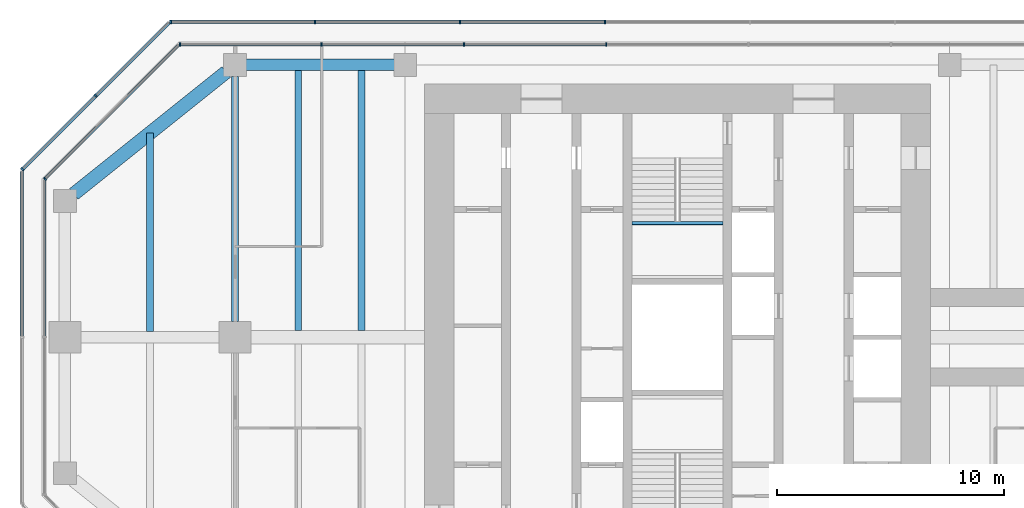
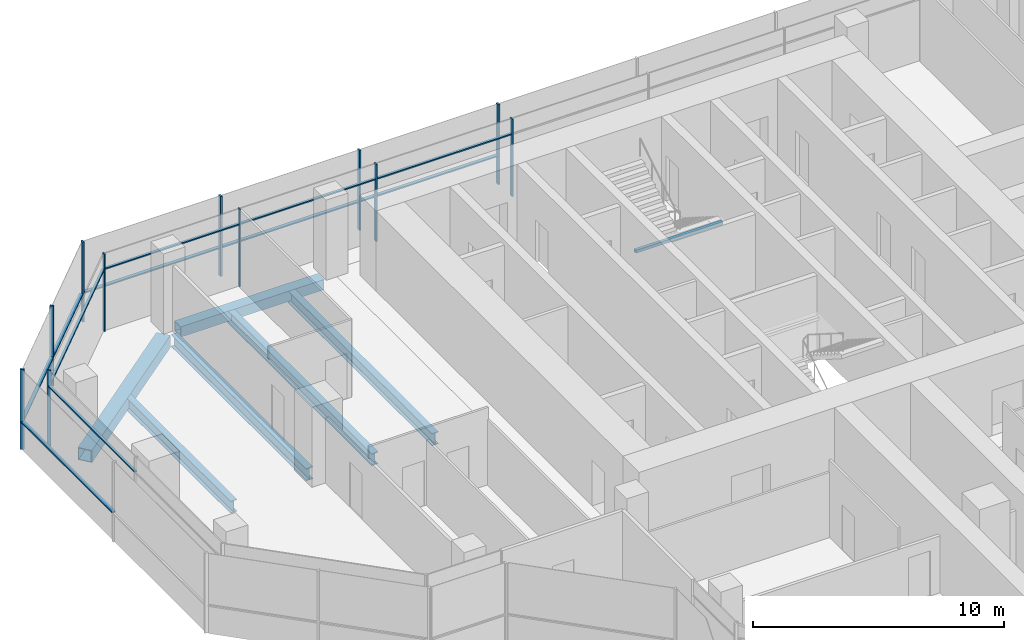
# One storey, part 6 of 16: 22 members, 7 beams, 6 elements without a shape of their own.
"""IFC4 building model written with IfcOpenShell, lengths in metres."""

from ifc_helpers import new_model, si_unit, direction, frame, origin, origin_2d, place, context, subcontext, project, spatial, rectangle, hollow_rectangle, i_section, extrude, material, material_profile, profile_set, type_object, element, aggregate, save


model = new_model("IFC4")

# Units and contexts
model_context = context("Model", 3, precision=1e-05, world=origin(), true_north=direction((0.0, 1.0)))
body_context = subcontext(model_context, "Body", "Model", "MODEL_VIEW")
ifc_project = project(units=[si_unit("LENGTHUNIT", "METRE"), si_unit("AREAUNIT", "SQUARE_METRE"), si_unit("VOLUMEUNIT", "CUBIC_METRE"), si_unit("PLANEANGLEUNIT", "RADIAN"), si_unit("MASSUNIT", "GRAM", prefix="KILO")], contexts=[model_context])

# Site, building, storey
site_placement = place(None, origin())
site = spatial("IfcSite", under=ifc_project, at=site_placement, CompositionType="ELEMENT")
building_placement = place(site_placement, origin())
building = spatial("IfcBuilding", under=site, at=building_placement, Name="Mizan Broadcast Tower", CompositionType="ELEMENT")
storey_placement = place(building_placement, frame((0.0, 0.0, 290.699951171875)))
storey = spatial("IfcBuildingStorey", under=building, at=storey_placement, Name="L69", CompositionType="ELEMENT", Elevation=290.699951171875)

# Beams
ifc_material_1 = material(Name="Steel S355", Category="steel")
ifc_material_profile_1 = material_profile(ifc_material_1, hollow_rectangle(XDim=0.5, YDim=0.5, WallThickness=0.030029296875, at=origin_2d()), Name="BOX 500x500x30")
ifc_profile_set_1 = profile_set([ifc_material_profile_1], Name="Steel S355")
beam_type_1 = type_object("IfcBeamType", Name="EDGE BEAM BOX 500x500x30", PredefinedType="SPANDREL", material=ifc_profile_set_1)
beam_1_placement = place(storey_placement, frame((-12.449951171875, 12.0, -0.3798828125), z_axis=(-1.0, 0.0, 0.0), x_axis=(0.0, -1.0, 0.0)))
element("IfcBeam", 1, at=beam_1_placement, inside=storey, type_object=beam_type_1, Name="Edge beam BOX 500x500x30 L69 west arm", PredefinedType="SPANDREL", context=body_context, shape_type="SweptSolid", body=[
    extrude(hollow_rectangle(XDim=0.5, YDim=0.5, WallThickness=0.030029296875, at=origin_2d()), origin(), (0.0, 0.0, 1.0), 6.60009765625),
])
ifc_material_2 = material(Name="Steel S355", Category="steel")
ifc_material_profile_2 = material_profile(ifc_material_2, hollow_rectangle(XDim=0.60009765625, YDim=0.60009765625, WallThickness=0.030029296875, at=origin_2d()), Name="BOX 600x600x30")
ifc_profile_set_2 = profile_set([ifc_material_profile_2], Name="Steel S355")
beam_type_2 = type_object("IfcBeamType", Name="EDGE BEAM BOX 600x600x30", PredefinedType="SPANDREL", material=ifc_profile_set_2)
beam_2_placement = place(storey_placement, frame((-19.890380859375, 11.687744140625, -0.429931640625), z_axis=(-0.780863273348, -0.62470196761, 0.0), x_axis=(0.62470196761, -0.780863273348, 0.0)))
element("IfcBeam", 2, at=beam_2_placement, inside=storey, type_object=beam_type_2, Name="Edge beam BOX 600x600x30 L69 west arm", PredefinedType="SPANDREL", context=body_context, shape_type="SweptSolid", body=[
    extrude(hollow_rectangle(XDim=0.60009765625, YDim=0.60009765625, WallThickness=0.030029296875, at=origin_2d()), origin(), (0.0, 0.0, 1.0), 8.60498046875),
])
ifc_material_3 = material(Name="Steel S355", Category="steel")
ifc_material_profile_3 = material_profile(ifc_material_3, i_section(OverallWidth=0.300048828125, OverallDepth=0.590087890625, WebThickness=0.012939453125, FlangeThickness=0.02490234375, FilletRadius=0.027099609375, at=origin_2d()), Name="HEA 600")
ifc_profile_set_3 = profile_set([ifc_material_profile_3], Name="Steel S355")
beam_type_3 = type_object("IfcBeamType", Name="GIRDER HEA 600", PredefinedType="BEAM", material=ifc_profile_set_3)
beam_3_placement = place(storey_placement, frame((-19.5, 11.5, -0.425048828125), z_axis=(0.0, -1.0, 0.0), x_axis=(1.0, 0.0, 0.0)))
element("IfcBeam", 3, at=beam_3_placement, inside=storey, type_object=beam_type_3, Name="Girder HEA 600 L69 west arm", PredefinedType="BEAM", context=body_context, shape_type="SweptSolid", body=[
    extrude(i_section(OverallWidth=0.300048828125, OverallDepth=0.590087890625, WebThickness=0.012939453125, FlangeThickness=0.02490234375, FilletRadius=0.027099609375, at=origin_2d()), origin(), (0.0, 0.0, 1.0), 10.800048828125),
])

# Curtain wall, members
ifc_material_4 = material(Name="Aluminium framed glazing", Category="aluminium")
curtain_wall_type_1 = type_object("IfcCurtainWallType", Name="INNER SKIN TOP ZONE", PredefinedType="USERDEFINED", material=ifc_material_4)
curtain_wall_1_placement = place(storey_placement, origin())
curtain_wall_1 = element("IfcCurtainWall", 4, at=curtain_wall_1_placement, inside=storey, type_object=curtain_wall_type_1, Name="Inner skin top zone L69 N end", ObjectType="INNER SKIN TOP ZONE", PredefinedType="USERDEFINED")
ifc_material_5 = material(Name="Aluminium, pale anodised", Category="aluminium")
ifc_material_profile_4 = material_profile(ifc_material_5, rectangle(XDim=0.159912109375, YDim=0.06005859375, at=origin_2d()), Name="MULLION 160x60")
ifc_profile_set_4 = profile_set([ifc_material_profile_4], Name="Aluminium, pale anodised")
member_type_1 = type_object("IfcMemberType", Name="INNER SKIN MULLION 60x160", PredefinedType="MULLION", material=ifc_profile_set_4)
member_1_placement = place(storey_placement, frame((-3.136962890625, 12.89990234375, 0.0), z_axis=(0.0, 0.0, 1.0), x_axis=(0.0, -1.0, 0.0)))
member_1 = element("IfcMember", 5, at=member_1_placement, type_object=member_type_1, Name="Inner skin top zone L69 N end mullion 5", PredefinedType="MULLION", context=body_context, shape_type="SweptSolid", body=[
    extrude(rectangle(XDim=0.159912109375, YDim=0.06005859375, at=origin_2d()), origin(), (0.0, 0.0, 1.0), 3.77001953125),
])
member_2_placement = place(storey_placement, frame((-9.410888671875, 12.89990234375, 0.0), z_axis=(0.0, 0.0, 1.0), x_axis=(0.0, -1.0, 0.0)))
member_2 = element("IfcMember", 6, at=member_2_placement, type_object=member_type_1, Name="Inner skin top zone L69 N end mullion 6", PredefinedType="MULLION", context=body_context, shape_type="SweptSolid", body=[
    extrude(rectangle(XDim=0.159912109375, YDim=0.06005859375, at=origin_2d()), origin(), (0.0, 0.0, 1.0), 3.77001953125),
])
member_3_placement = place(storey_placement, frame((-15.684814453125, 12.89990234375, 0.0), z_axis=(0.0, 0.0, 1.0), x_axis=(0.0, -1.0, 0.0)))
member_3 = element("IfcMember", 7, at=member_3_placement, type_object=member_type_1, Name="Inner skin top zone L69 N end mullion 7", PredefinedType="MULLION", context=body_context, shape_type="SweptSolid", body=[
    extrude(rectangle(XDim=0.159912109375, YDim=0.06005859375, at=origin_2d()), origin(), (0.0, 0.0, 1.0), 3.77001953125),
])
member_4_placement = place(storey_placement, frame((-21.928466796875, 12.89990234375, 0.0), z_axis=(0.0, 0.0, 1.0), x_axis=(0.0, -1.0, 0.0)))
member_4 = element("IfcMember", 8, at=member_4_placement, type_object=member_type_1, Name="Inner skin top zone L69 N end mullion 8", PredefinedType="MULLION", context=body_context, shape_type="SweptSolid", body=[
    extrude(rectangle(XDim=0.159912109375, YDim=0.06005859375, at=origin_2d()), origin(), (0.0, 0.0, 1.0), 3.77001953125),
])

# Curtain wall, member
curtain_wall_2_placement = place(storey_placement, origin())
curtain_wall_2 = element("IfcCurtainWall", 9, at=curtain_wall_2_placement, inside=storey, type_object=curtain_wall_type_1, Name="Inner skin top zone L69 W chamfer", ObjectType="INNER SKIN TOP ZONE", PredefinedType="USERDEFINED")
member_5_placement = place(storey_placement, frame((-27.87890625, 6.979736328125, 0.0), z_axis=(0.0, 0.0, 1.0), x_axis=(0.707106781187, -0.707106781187, 0.0)))
member_5 = element("IfcMember", 10, at=member_5_placement, type_object=member_type_1, Name="Inner skin top zone L69 W chamfer mullion 2", PredefinedType="MULLION", context=body_context, shape_type="SweptSolid", body=[
    extrude(rectangle(XDim=0.159912109375, YDim=0.06005859375, at=origin_2d()), origin(), (0.0, 0.0, 1.0), 3.77001953125),
])

# Member
ifc_material_6 = material(Name="Aluminium, pale anodised", Category="aluminium")
ifc_material_profile_5 = material_profile(ifc_material_6, rectangle(XDim=0.1201171875, YDim=0.06005859375, at=origin_2d()), Name="TRANSOM 120x60")
ifc_profile_set_5 = profile_set([ifc_material_profile_5], Name="Aluminium, pale anodised")
member_type_2 = type_object("IfcMemberType", Name="INNER SKIN TRANSOM 60x120", PredefinedType="USERDEFINED", material=ifc_profile_set_5)
member_6_placement = place(storey_placement, frame((-3.1669921875, 12.89990234375, 3.030029296875), z_axis=(-1.0, 0.0, 0.0), x_axis=(0.0, -1.0, 0.0)))
member_6 = element("IfcMember", 11, at=member_6_placement, type_object=member_type_2, Name="Inner skin top zone L69 N end transom 5.1", ObjectType="TRANSOM", PredefinedType="USERDEFINED", context=body_context, shape_type="SweptSolid", body=[
    extrude(rectangle(XDim=0.1201171875, YDim=0.06005859375, at=origin_2d()), origin(), (0.0, 0.0, 1.0), 6.2138671875),
])

member_7_placement = place(storey_placement, frame((-9.44091796875, 12.89990234375, 3.030029296875), z_axis=(-1.0, 0.0, 0.0), x_axis=(0.0, -1.0, 0.0)))
member_7 = element("IfcMember", 12, at=member_7_placement, type_object=member_type_2, Name="Inner skin top zone L69 N end transom 6.1", ObjectType="TRANSOM", PredefinedType="USERDEFINED", context=body_context, shape_type="SweptSolid", body=[
    extrude(rectangle(XDim=0.1201171875, YDim=0.06005859375, at=origin_2d()), origin(), (0.0, 0.0, 1.0), 6.2138671875),
])

member_8_placement = place(storey_placement, frame((-15.714599609375, 12.89990234375, 3.030029296875), z_axis=(-1.0, 0.0, 0.0), x_axis=(0.0, -1.0, 0.0)))
member_8 = element("IfcMember", 13, at=member_8_placement, type_object=member_type_2, Name="Inner skin top zone L69 N end transom 7.1", ObjectType="TRANSOM", PredefinedType="USERDEFINED", context=body_context, shape_type="SweptSolid", body=[
    extrude(rectangle(XDim=0.1201171875, YDim=0.06005859375, at=origin_2d()), origin(), (0.0, 0.0, 1.0), 6.18408203125),
])

aggregate(curtain_wall_1, [member_1, member_2, member_3, member_4, member_6, member_7, member_8])

member_9_placement = place(storey_placement, frame((-22.0009765625, 12.857666015625, 3.030029296875), z_axis=(-0.707106781187, -0.707106781187, 0.0), x_axis=(0.707106781187, -0.707106781187, 0.0)))
member_9 = element("IfcMember", 14, at=member_9_placement, type_object=member_type_2, Name="Inner skin top zone L69 W chamfer transom 1.1", ObjectType="TRANSOM", PredefinedType="USERDEFINED", context=body_context, shape_type="SweptSolid", body=[
    extrude(rectangle(XDim=0.1201171875, YDim=0.06005859375, at=origin_2d()), origin(), (0.0, 0.0, 1.0), 8.28271484375),
])

aggregate(curtain_wall_2, [member_5, member_9])

# Curtain wall, member
curtain_wall_3_placement = place(storey_placement, origin())
curtain_wall_3 = element("IfcCurtainWall", 15, at=curtain_wall_3_placement, inside=storey, type_object=curtain_wall_type_1, Name="Inner skin top zone L69 W end", ObjectType="INNER SKIN TOP ZONE", PredefinedType="USERDEFINED")
member_10_placement = place(storey_placement, frame((-27.89990234375, 6.898681640625, 3.030029296875), z_axis=(0.0, -1.0, 0.0), x_axis=(1.0, 0.0, 0.0)))
member_10 = element("IfcMember", 16, at=member_10_placement, type_object=member_type_2, Name="Inner skin top zone L69 W end transom 1.1", ObjectType="TRANSOM", PredefinedType="USERDEFINED", context=body_context, shape_type="SweptSolid", body=[
    extrude(rectangle(XDim=0.1201171875, YDim=0.06005859375, at=origin_2d()), origin(), (0.0, 0.0, 1.0), 6.86865234375),
])
aggregate(curtain_wall_3, [member_10])

# Beam
ifc_material_7 = material(Name="Steel S355", Category="steel")
ifc_material_profile_6 = material_profile(ifc_material_7, hollow_rectangle(XDim=0.14990234375, YDim=0.14990234375, WallThickness=0.008056640625, InnerFilletRadius=0.008056640625, OuterFilletRadius=0.011962890625, at=origin_2d()), Name="SHS 150x150x8")
ifc_profile_set_6 = profile_set([ifc_material_profile_6], Name="Steel S355")
beam_type_4 = type_object("IfcBeamType", Name="LANDING TRIMMER SHS 150x150x8", PredefinedType="BEAM", material=ifc_profile_set_6)
beam_4_placement = place(storey_placement, frame((2.0, 5.02490234375, 1.675048828125), z_axis=(-1.0, 0.0, 0.0), x_axis=(0.0, -1.0, 0.0)))
element("IfcBeam", 17, at=beam_4_placement, inside=storey, type_object=beam_type_4, Name="Stair B landing trimmer L69", PredefinedType="BEAM", context=body_context, shape_type="SweptSolid", body=[
    extrude(hollow_rectangle(XDim=0.14990234375, YDim=0.14990234375, WallThickness=0.008056640625, InnerFilletRadius=0.008056640625, OuterFilletRadius=0.011962890625, at=origin_2d()), origin(), (0.0, 0.0, 1.0), 4.0),
])

# Curtain wall, members
ifc_material_8 = material(Name="Aluminium framed glazing", Category="aluminium")
curtain_wall_type_2 = type_object("IfcCurtainWallType", Name="OUTER SKIN", PredefinedType="USERDEFINED", material=ifc_material_8)
curtain_wall_4_placement = place(storey_placement, origin())
curtain_wall_4 = element("IfcCurtainWall", 18, at=curtain_wall_4_placement, inside=storey, type_object=curtain_wall_type_2, Name="Outer skin L69 N end", ObjectType="OUTER SKIN", PredefinedType="USERDEFINED")
ifc_material_9 = material(Name="Aluminium, pale anodised", Category="aluminium")
ifc_material_profile_7 = material_profile(ifc_material_9, rectangle(XDim=0.159912109375, YDim=0.080078125, at=origin_2d()), Name="MULLION 160x80")
ifc_profile_set_7 = profile_set([ifc_material_profile_7], Name="Aluminium, pale anodised")
member_type_3 = type_object("IfcMemberType", Name="OUTER SKIN MULLION 80x160", PredefinedType="MULLION", material=ifc_profile_set_7)
member_11_placement = place(storey_placement, frame((-3.196044921875, 13.89990234375, 0.0), z_axis=(0.0, 0.0, 1.0), x_axis=(0.0, -1.0, 0.0)))
member_11 = element("IfcMember", 19, at=member_11_placement, type_object=member_type_3, Name="Outer skin L69 N end mullion 5", PredefinedType="MULLION", context=body_context, shape_type="SweptSolid", body=[
    extrude(rectangle(XDim=0.159912109375, YDim=0.080078125, at=origin_2d()), origin(), (0.0, 0.0, 1.0), 3.900146484375),
])
member_12_placement = place(storey_placement, frame((-9.58837890625, 13.89990234375, 0.0), z_axis=(0.0, 0.0, 1.0), x_axis=(0.0, -1.0, 0.0)))
member_12 = element("IfcMember", 20, at=member_12_placement, type_object=member_type_3, Name="Outer skin L69 N end mullion 6", PredefinedType="MULLION", context=body_context, shape_type="SweptSolid", body=[
    extrude(rectangle(XDim=0.159912109375, YDim=0.080078125, at=origin_2d()), origin(), (0.0, 0.0, 1.0), 3.900146484375),
])
member_13_placement = place(storey_placement, frame((-15.98046875, 13.89990234375, 0.0), z_axis=(0.0, 0.0, 1.0), x_axis=(0.0, -1.0, 0.0)))
member_13 = element("IfcMember", 21, at=member_13_placement, type_object=member_type_3, Name="Outer skin L69 N end mullion 7", PredefinedType="MULLION", context=body_context, shape_type="SweptSolid", body=[
    extrude(rectangle(XDim=0.159912109375, YDim=0.080078125, at=origin_2d()), origin(), (0.0, 0.0, 1.0), 3.900146484375),
])
member_14_placement = place(storey_placement, frame((-22.332763671875, 13.89990234375, 0.0), z_axis=(0.0, 0.0, 1.0), x_axis=(0.0, -1.0, 0.0)))
member_14 = element("IfcMember", 22, at=member_14_placement, type_object=member_type_3, Name="Outer skin L69 N end mullion 8", PredefinedType="MULLION", context=body_context, shape_type="SweptSolid", body=[
    extrude(rectangle(XDim=0.159912109375, YDim=0.080078125, at=origin_2d()), origin(), (0.0, 0.0, 1.0), 3.900146484375),
])

curtain_wall_5_placement = place(storey_placement, origin())
curtain_wall_5 = element("IfcCurtainWall", 23, at=curtain_wall_5_placement, inside=storey, type_object=curtain_wall_type_2, Name="Outer skin L69 W chamfer", ObjectType="OUTER SKIN", PredefinedType="USERDEFINED")
member_15_placement = place(storey_placement, frame((-25.636474609375, 10.636474609375, 0.0), z_axis=(0.0, 0.0, 1.0), x_axis=(0.707106781187, -0.707106781187, 0.0)))
member_15 = element("IfcMember", 24, at=member_15_placement, type_object=member_type_3, Name="Outer skin L69 W chamfer mullion 2", PredefinedType="MULLION", context=body_context, shape_type="SweptSolid", body=[
    extrude(rectangle(XDim=0.159912109375, YDim=0.080078125, at=origin_2d()), origin(), (0.0, 0.0, 1.0), 3.900146484375),
])
member_16_placement = place(storey_placement, frame((-28.871826171875, 7.401123046875, 0.0), z_axis=(0.0, 0.0, 1.0), x_axis=(0.707106781187, -0.707106781187, 0.0)))
member_16 = element("IfcMember", 25, at=member_16_placement, type_object=member_type_3, Name="Outer skin L69 W chamfer mullion 3", PredefinedType="MULLION", context=body_context, shape_type="SweptSolid", body=[
    extrude(rectangle(XDim=0.159912109375, YDim=0.080078125, at=origin_2d()), origin(), (0.0, 0.0, 1.0), 3.900146484375),
])

# Member
ifc_material_10 = material(Name="Aluminium, pale anodised", Category="aluminium")
ifc_material_profile_8 = material_profile(ifc_material_10, rectangle(XDim=0.159912109375, YDim=0.06005859375, at=origin_2d()), Name="TRANSOM 160x60")
ifc_profile_set_8 = profile_set([ifc_material_profile_8], Name="Aluminium, pale anodised")
member_type_4 = type_object("IfcMemberType", Name="OUTER SKIN TRANSOM 60x160", PredefinedType="USERDEFINED", material=ifc_profile_set_8)
member_17_placement = place(storey_placement, frame((-3.236083984375, 13.89990234375, 1.400146484375), z_axis=(-1.0, 0.0, 0.0), x_axis=(0.0, -1.0, 0.0)))
member_17 = element("IfcMember", 26, at=member_17_placement, type_object=member_type_4, Name="Outer skin L69 N end transom 5.1", ObjectType="TRANSOM", PredefinedType="USERDEFINED", context=body_context, shape_type="SweptSolid", body=[
    extrude(rectangle(XDim=0.159912109375, YDim=0.06005859375, at=origin_2d()), origin(), (0.0, 0.0, 1.0), 6.312255859375),
])

member_18_placement = place(storey_placement, frame((-9.62841796875, 13.89990234375, 1.400146484375), z_axis=(-1.0, 0.0, 0.0), x_axis=(0.0, -1.0, 0.0)))
member_18 = element("IfcMember", 27, at=member_18_placement, type_object=member_type_4, Name="Outer skin L69 N end transom 6.1", ObjectType="TRANSOM", PredefinedType="USERDEFINED", context=body_context, shape_type="SweptSolid", body=[
    extrude(rectangle(XDim=0.159912109375, YDim=0.06005859375, at=origin_2d()), origin(), (0.0, 0.0, 1.0), 6.312255859375),
])

member_19_placement = place(storey_placement, frame((-16.0205078125, 13.89990234375, 1.400146484375), z_axis=(-1.0, 0.0, 0.0), x_axis=(0.0, -1.0, 0.0)))
member_19 = element("IfcMember", 28, at=member_19_placement, type_object=member_type_4, Name="Outer skin L69 N end transom 7.1", ObjectType="TRANSOM", PredefinedType="USERDEFINED", context=body_context, shape_type="SweptSolid", body=[
    extrude(rectangle(XDim=0.159912109375, YDim=0.06005859375, at=origin_2d()), origin(), (0.0, 0.0, 1.0), 6.272216796875),
])

aggregate(curtain_wall_4, [member_11, member_12, member_13, member_14, member_17, member_18, member_19])

member_20_placement = place(storey_placement, frame((-22.429443359375, 13.843505859375, 1.400146484375), z_axis=(-0.707106781187, -0.707106781187, 0.0), x_axis=(0.707106781187, -0.707106781187, 0.0)))
member_20 = element("IfcMember", 29, at=member_20_placement, type_object=member_type_4, Name="Outer skin L69 W chamfer transom 1.1", ObjectType="TRANSOM", PredefinedType="USERDEFINED", context=body_context, shape_type="SweptSolid", body=[
    extrude(rectangle(XDim=0.159912109375, YDim=0.06005859375, at=origin_2d()), origin(), (0.0, 0.0, 1.0), 4.495361328125),
])

member_21_placement = place(storey_placement, frame((-25.664794921875, 10.608154296875, 1.400146484375), z_axis=(-0.707106781187, -0.707106781187, 0.0), x_axis=(0.707106781187, -0.707106781187, 0.0)))
member_21 = element("IfcMember", 30, at=member_21_placement, type_object=member_type_4, Name="Outer skin L69 W chamfer transom 2.1", ObjectType="TRANSOM", PredefinedType="USERDEFINED", context=body_context, shape_type="SweptSolid", body=[
    extrude(rectangle(XDim=0.159912109375, YDim=0.06005859375, at=origin_2d()), origin(), (0.0, 0.0, 1.0), 4.495361328125),
])

aggregate(curtain_wall_5, [member_15, member_16, member_20, member_21])

# Curtain wall, member
curtain_wall_6_placement = place(storey_placement, origin())
curtain_wall_6 = element("IfcCurtainWall", 31, at=curtain_wall_6_placement, inside=storey, type_object=curtain_wall_type_2, Name="Outer skin L69 W end", ObjectType="OUTER SKIN", PredefinedType="USERDEFINED")
member_22_placement = place(storey_placement, frame((-28.89990234375, 7.292724609375, 1.400146484375), z_axis=(0.0, -1.0, 0.0), x_axis=(1.0, 0.0, 0.0)))
member_22 = element("IfcMember", 32, at=member_22_placement, type_object=member_type_4, Name="Outer skin L69 W end transom 1.1", ObjectType="TRANSOM", PredefinedType="USERDEFINED", context=body_context, shape_type="SweptSolid", body=[
    extrude(rectangle(XDim=0.159912109375, YDim=0.06005859375, at=origin_2d()), origin(), (0.0, 0.0, 1.0), 7.252685546875),
])
aggregate(curtain_wall_6, [member_22])

# Beams
ifc_material_11 = material(Name="Steel S355", Category="steel")
ifc_material_profile_9 = material_profile(ifc_material_11, i_section(OverallWidth=0.300048828125, OverallDepth=0.590087890625, WebThickness=0.012939453125, FlangeThickness=0.02490234375, FilletRadius=0.027099609375, at=origin_2d()), Name="HEA 600")
ifc_profile_set_9 = profile_set([ifc_material_profile_9], Name="Steel S355")
beam_type_5 = type_object("IfcBeamType", Name="SECONDARY BEAM HEA 600", PredefinedType="JOIST", material=ifc_profile_set_9)
for number, where, z_axis, x_axis, name in (
    (33, (-13.933349609375, 12.0, -0.425048828125), (0.0, -1.0, 0.0), (1.0, 0.0, 0.0), "Secondary beam HEA 600 L69 west arm"),
    (34, (-16.716552734375, 12.0, -0.425048828125), (0.0, -1.0, 0.0), (1.0, 0.0, 0.0), "Secondary beam HEA 600 L69 west arm"),
):
    element("IfcBeam", number, at=place(storey_placement, frame(where, z_axis=z_axis, x_axis=x_axis)), inside=storey, type_object=beam_type_5, Name=name, PredefinedType="JOIST", context=body_context, shape_type="SweptSolid", body=[
        extrude(i_section(OverallWidth=0.300048828125, OverallDepth=0.590087890625, WebThickness=0.012939453125, FlangeThickness=0.02490234375, FilletRadius=0.027099609375, at=origin_2d()), origin(), (0.0, 0.0, 1.0), 11.699951171875),
    ])
beam_5_placement = place(storey_placement, frame((-23.25, 9.0, -0.425048828125), z_axis=(0.0, -1.0, 0.0), x_axis=(1.0, 0.0, 0.0)))
element("IfcBeam", 35, at=beam_5_placement, inside=storey, type_object=beam_type_5, Name="Secondary beam HEA 600 L69 west arm", PredefinedType="JOIST", context=body_context, shape_type="SweptSolid", body=[
    extrude(i_section(OverallWidth=0.300048828125, OverallDepth=0.590087890625, WebThickness=0.012939453125, FlangeThickness=0.02490234375, FilletRadius=0.027099609375, at=origin_2d()), origin(), (0.0, 0.0, 1.0), 8.75),
])

save(model, "model.ifc")
